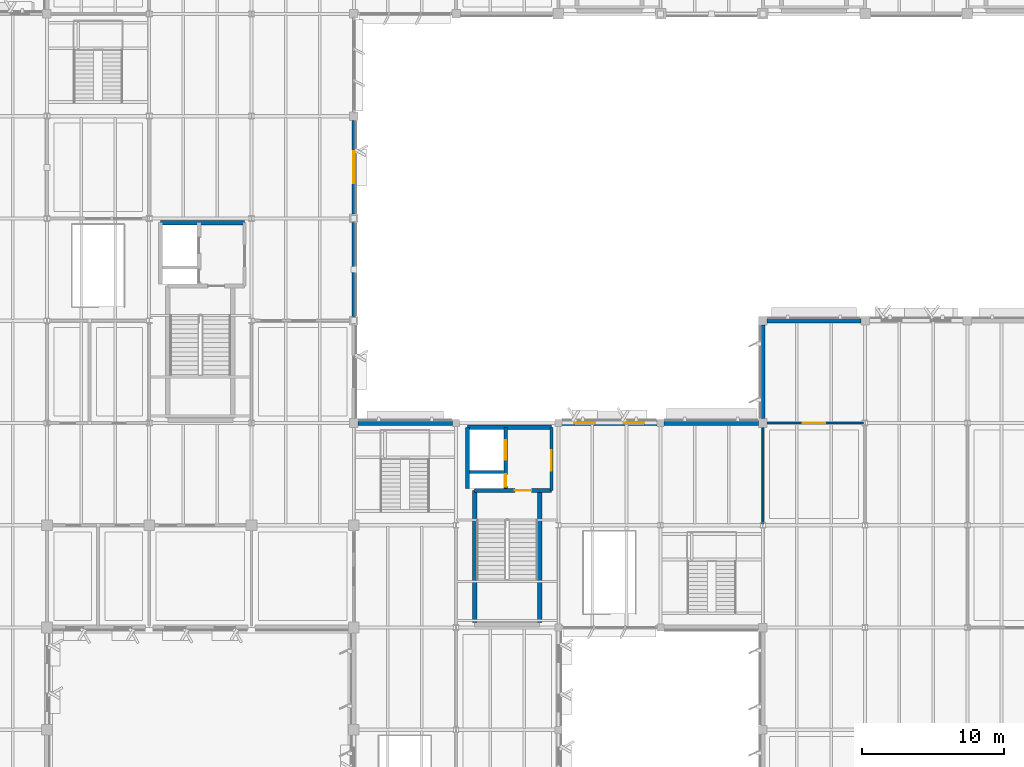
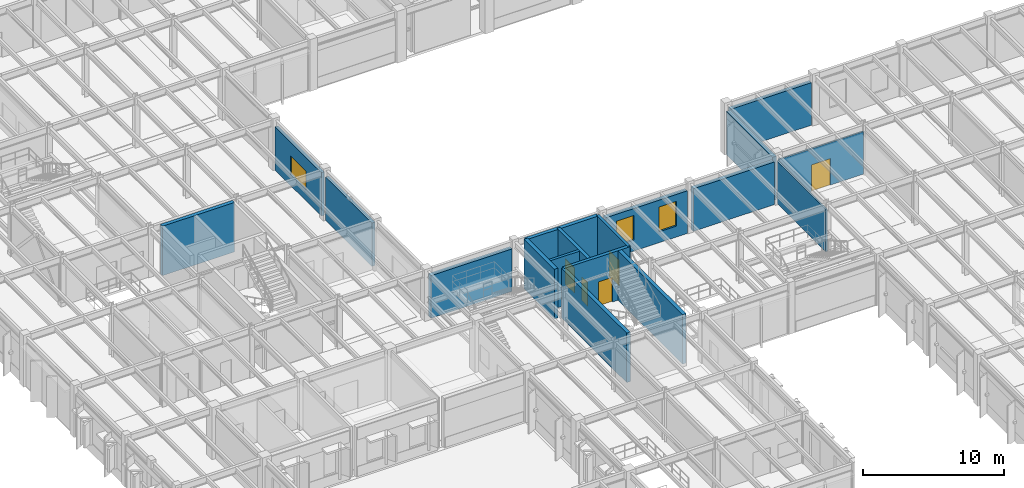
# One storey, part 34 of 92: 18 walls, 5 doors, 3 windows, 8 openings.
"""IFC4 building model written with IfcOpenShell, lengths in metres."""

from ifc_helpers import new_model, si_unit, direction, frame, frame_2d, origin, place, context, subcontext, project, spatial, rectangle, extrude, material, layer, layer_set, type_object, element, fill, save


model = new_model("IFC4")

# Units and contexts
model_context = context("Model", 3, precision=1e-05, world=origin(), true_north=direction((0.0, 1.0)))
body_context = subcontext(model_context, "Body", "Model", "MODEL_VIEW")
ifc_project = project(units=[si_unit("LENGTHUNIT", "METRE"), si_unit("AREAUNIT", "SQUARE_METRE"), si_unit("VOLUMEUNIT", "CUBIC_METRE"), si_unit("PLANEANGLEUNIT", "RADIAN"), si_unit("MASSUNIT", "GRAM", prefix="KILO")], contexts=[model_context])

# Site, building, storey
site_placement = place(None, origin())
site = spatial("IfcSite", under=ifc_project, at=site_placement, CompositionType="ELEMENT")
building_placement = place(site_placement, origin())
building = spatial("IfcBuilding", under=site, at=building_placement, Name="Sillqori Civic Hall", CompositionType="ELEMENT")
storey_placement = place(building_placement, frame((0.0, 0.0, 5.39990234375)))
storey = spatial("IfcBuildingStorey", under=building, at=storey_placement, Name="L02", CompositionType="ELEMENT", Elevation=5.39990234375)

# Wall
ifc_material_1 = material(Name="Concrete C35/45 (H35)", Category="concrete")
ifc_layer_1 = layer(ifc_material_1, 0.219970703125)
ifc_layer_set_1 = layer_set([ifc_layer_1], Name="Concrete C35/45 (H35)")
wall_type_1 = type_object("IfcWallType", Name="CW-SHR-220", PredefinedType="SHEAR", material=ifc_layer_set_1)
wall_1_placement = place(storey_placement, frame((44.14990234375, 46.949951171875, 0.0), z_axis=(0.0, 0.0, 1.0), x_axis=(1.0, 0.0, 0.0)))
element("IfcWall", 1, at=wall_1_placement, inside=storey, type_object=wall_type_1, Name="L02 C1 Lift-riser divider wall", PredefinedType="SHEAR", context=body_context, shape_type="SweptSolid", body=[
    extrude(rectangle(XDim=2.400146484375, YDim=0.219970703125, at=frame_2d((1.2001953125, 0.0))), origin(), (0.0, 0.0, 1.0), 4.300048828125),
])

# Wall, opening, door
wall_2_placement = place(storey_placement, frame((49.919921875, 50.10009765625, 0.0), z_axis=(0.0, 0.0, 1.0), x_axis=(0.0, -1.0, 0.0)))
wall_2 = element("IfcWall", 2, at=wall_2_placement, inside=storey, type_object=wall_type_1, Name="L02 C1 firefighting lobby enclosure wall", PredefinedType="SHEAR", context=body_context, shape_type="SweptSolid", body=[
    extrude(rectangle(XDim=4.4501953125, YDim=0.219970703125, at=frame_2d((2.22509765625, 0.0))), origin(), (0.0, 0.0, 1.0), 4.300048828125),
])
opening_1_placement = place(wall_2_placement, frame((1.625, 0.0, 0.0)))
opening_1 = element("IfcOpeningElement", 3, at=opening_1_placement, cuts=wall_2, Name="Opening FD-03", PredefinedType="OPENING", context=body_context, shape_type="SweptSolid", body=[
    extrude(rectangle(XDim=1.449951171875, YDim=2.199951171875, at=frame_2d((0.72509765625, 1.10009765625))), frame((0.0, 0.119873046875, 0.0), z_axis=(0.0, -1.0, 0.0), x_axis=(1.0, 0.0, 0.0)), (0.0, 0.0, 1.0), 0.239990234375),
])
ifc_material_2 = material(Name="Double-Leaf Smoke-Seal Lobby Door", Category="steel")
door_type_1 = type_object("IfcDoorType", Name="FDR-LOB-145X220", OperationType="NOTDEFINED", PredefinedType="DOOR", material=ifc_material_2)
door_1_placement = place(opening_1_placement, origin())
door_1 = element("IfcDoor", 4, at=door_1_placement, inside=storey, type_object=door_type_1, Name="L02 C1 firefighting lobby exit door", OperationType="DOUBLE_DOOR_SINGLE_SWING", OverallHeight=2.199951171875, OverallWidth=1.449951171875, PredefinedType="DOOR", context=body_context, shape_type="SweptSolid", body=[
    extrude(rectangle(XDim=1.449951171875, YDim=2.199951171875, at=frame_2d((0.72509765625, 1.10009765625))), frame((0.0, 0.02490234375, 0.0), z_axis=(0.0, -1.0, 0.0), x_axis=(1.0, 0.0, 0.0)), (0.0, 0.0, 1.0), 0.050048828125),
])
fill(opening_1, door_1)

ifc_layer_2 = layer(ifc_material_1, 0.260009765625)
ifc_layer_set_2 = layer_set([ifc_layer_2], Name="Concrete C35/45 (H35)")
wall_type_2 = type_object("IfcWallType", Name="CW-SHR-260", PredefinedType="SHEAR", material=ifc_layer_set_2)
wall_3_placement = place(storey_placement, frame((44.510009765625, 45.64990234375, 0.0), z_axis=(0.0, 0.0, 1.0), x_axis=(1.0, 0.0, 0.0)))
wall_3 = element("IfcWall", 5, at=wall_3_placement, inside=storey, type_object=wall_type_2, Name="L02 C1 Stair-lobby fire wall", PredefinedType="SHEAR", context=body_context, shape_type="SweptSolid", body=[
    extrude(rectangle(XDim=5.409912109375, YDim=0.260009765625, at=frame_2d((2.705078125, 0.0))), origin(), (0.0, 0.0, 1.0), 4.300048828125),
])
opening_2_placement = place(wall_3_placement, frame((2.840087890625, 0.0, 0.0)))
opening_2 = element("IfcOpeningElement", 6, at=opening_2_placement, cuts=wall_3, Name="Opening FD-01", PredefinedType="OPENING", context=body_context, shape_type="SweptSolid", body=[
    extrude(rectangle(XDim=1.14990234375, YDim=2.14990234375, at=frame_2d((0.574951171875, 1.074951171875))), frame((0.0, 0.139892578125, 0.0), z_axis=(0.0, -1.0, 0.0), x_axis=(1.0, 0.0, 0.0)), (0.0, 0.0, 1.0), 0.280029296875),
])
ifc_material_3 = material(Name="Galvanized Steel Fire Door FD90S", Category="steel")
door_type_2 = type_object("IfcDoorType", Name="FDR-STR-115X215", OperationType="NOTDEFINED", PredefinedType="DOOR", material=ifc_material_3)
door_2_placement = place(opening_2_placement, origin())
door_2 = element("IfcDoor", 7, at=door_2_placement, inside=storey, type_object=door_type_2, Name="L02 stair ST-01 fire door", OperationType="SINGLE_SWING_RIGHT", OverallHeight=2.14990234375, OverallWidth=1.14990234375, PredefinedType="DOOR", context=body_context, shape_type="SweptSolid", body=[
    extrude(rectangle(XDim=1.14990234375, YDim=2.14990234375, at=frame_2d((0.574951171875, 1.074951171875))), frame((0.0, 0.02490234375, 0.0), z_axis=(0.0, -1.0, 0.0), x_axis=(1.0, 0.0, 0.0)), (0.0, 0.0, 1.0), 0.050048828125),
])
fill(opening_2, door_2)

# Wall, openings, doors
wall_4_placement = place(storey_placement, frame((46.699951171875, 50.10009765625, 0.0), z_axis=(0.0, 0.0, 1.0), x_axis=(0.0, -1.0, 0.0)))
wall_4 = element("IfcWall", 8, at=wall_4_placement, inside=storey, type_object=wall_type_2, Name="L02 C1 Lift landing & riser front wall", PredefinedType="SHEAR", context=body_context, shape_type="SweptSolid", body=[
    extrude(rectangle(XDim=4.320068359375, YDim=0.260009765625, at=frame_2d((2.16015625, 0.0))), origin(), (0.0, 0.0, 1.0), 4.300048828125),
])
opening_3_placement = place(wall_4_placement, frame((0.925048828125, 0.0, 0.0)))
opening_3 = element("IfcOpeningElement", 9, at=opening_3_placement, cuts=wall_4, Name="Opening LD-03", PredefinedType="OPENING", context=body_context, shape_type="SweptSolid", body=[
    extrude(rectangle(XDim=1.35009765625, YDim=2.199951171875, at=frame_2d((0.675048828125, 1.10009765625))), frame((0.0, 0.139892578125, 0.0), z_axis=(0.0, -1.0, 0.0), x_axis=(1.0, 0.0, 0.0)), (0.0, 0.0, 1.0), 0.280029296875),
])
opening_4_placement = place(wall_4_placement, frame((3.324951171875, 0.0, 0.0)))
opening_4 = element("IfcOpeningElement", 10, at=opening_4_placement, cuts=wall_4, Name="Opening FD-05", PredefinedType="OPENING", context=body_context, shape_type="SweptSolid", body=[
    extrude(rectangle(XDim=0.85009765625, YDim=2.050048828125, at=frame_2d((0.425048828125, 1.02490234375))), frame((0.0, 0.139892578125, 0.0), z_axis=(0.0, -1.0, 0.0), x_axis=(1.0, 0.0, 0.0)), (0.0, 0.0, 1.0), 0.280029296875),
])
ifc_material_4 = material(Name="Steel Riser Access Fire Door", Category="steel")
door_type_3 = type_object("IfcDoorType", Name="FDR-RSR-085X205", OperationType="NOTDEFINED", PredefinedType="DOOR", material=ifc_material_4)
door_3_placement = place(opening_4_placement, origin())
door_3 = element("IfcDoor", 11, at=door_3_placement, inside=storey, type_object=door_type_3, Name="L02 MEP riser C1 fire access door", OperationType="SINGLE_SWING_LEFT", OverallHeight=2.050048828125, OverallWidth=0.85009765625, PredefinedType="DOOR", context=body_context, shape_type="SweptSolid", body=[
    extrude(rectangle(XDim=0.85009765625, YDim=2.050048828125, at=frame_2d((0.425048828125, 1.02490234375))), frame((0.0, 0.02490234375, 0.0), z_axis=(0.0, -1.0, 0.0), x_axis=(1.0, 0.0, 0.0)), (0.0, 0.0, 1.0), 0.050048828125),
])
fill(opening_4, door_3)
ifc_material_5 = material(Name="Service Freight Lift Landing Door", Category="steel")
door_type_4 = type_object("IfcDoorType", Name="LDR-SERV-135X220", OperationType="NOTDEFINED", PredefinedType="DOOR", material=ifc_material_5)
door_4_placement = place(opening_3_placement, origin())
door_4 = element("IfcDoor", 12, at=door_4_placement, inside=storey, type_object=door_type_4, Name="L02 lift LF-07 sliding landing door", OperationType="DOUBLE_DOOR_SLIDING", OverallHeight=2.199951171875, OverallWidth=1.35009765625, PredefinedType="DOOR", context=body_context, shape_type="SweptSolid", body=[
    extrude(rectangle(XDim=1.35009765625, YDim=2.199951171875, at=frame_2d((0.675048828125, 1.10009765625))), frame((0.0, 0.02490234375, 0.0), z_axis=(0.0, -1.0, 0.0), x_axis=(1.0, 0.0, 0.0)), (0.0, 0.0, 1.0), 0.050048828125),
])
fill(opening_3, door_4)

# Walls
ifc_layer_3 = layer(ifc_material_1, 0.300048828125)
ifc_layer_set_3 = layer_set([ifc_layer_3], Name="Concrete C35/45 (H35)")
wall_type_3 = type_object("IfcWallType", Name="CW-SHR-300", PredefinedType="SHEAR", material=ifc_layer_set_3)
for number, where, z_axis, x_axis, name in (
    (13, (44.510009765625, 36.35009765625, 0.0), (0.0, 0.0, 1.0), (0.0, 1.0, 0.0), "L02 C1 Stair west shear wall"),
    (14, (49.090087890625, 36.35009765625, 0.0), (0.0, 0.0, 1.0), (0.0, 1.0, 0.0), "L02 C1 Stair east shear wall"),
):
    element("IfcWall", number, at=place(storey_placement, frame(where, z_axis=z_axis, x_axis=x_axis)), inside=storey, type_object=wall_type_3, Name=name, PredefinedType="SHEAR", context=body_context, shape_type="SweptSolid", body=[
        extrude(rectangle(XDim=9.2998046875, YDim=0.300048828125, at=frame_2d((4.64990234375, 0.0))), origin(), (0.0, 0.0, 1.0), 4.300048828125),
    ])
wall_5_placement = place(storey_placement, frame((44.0, 45.780029296875, 0.0), z_axis=(0.0, 0.0, 1.0), x_axis=(0.0, 1.0, 0.0)))
element("IfcWall", 15, at=wall_5_placement, inside=storey, type_object=wall_type_3, Name="L02 C1 Lift shaft west shear wall", PredefinedType="SHEAR", context=body_context, shape_type="SweptSolid", body=[
    extrude(rectangle(XDim=4.320068359375, YDim=0.300048828125, at=frame_2d((2.16015625, 0.0))), origin(), (0.0, 0.0, 1.0), 4.300048828125),
])
wall_6_placement = place(storey_placement, frame((44.0, 50.10009765625, 0.0), z_axis=(0.0, 0.0, 1.0), x_axis=(1.0, 0.0, 0.0)))
element("IfcWall", 16, at=wall_6_placement, inside=storey, type_object=wall_type_3, Name="L02 C1 Core north shear wall", PredefinedType="SHEAR", context=body_context, shape_type="SweptSolid", body=[
    extrude(rectangle(XDim=5.919921875, YDim=0.300048828125, at=frame_2d((2.9599609375, 0.0))), origin(), (0.0, 0.0, 1.0), 4.300048828125),
])
wall_7_placement = place(storey_placement, frame((22.39990234375, 64.5, 0.0), z_axis=(0.0, 0.0, 1.0), x_axis=(1.0, 0.0, 0.0)))
element("IfcWall", 17, at=wall_7_placement, inside=storey, type_object=wall_type_3, Name="L02 C4 Core north shear wall", PredefinedType="SHEAR", context=body_context, shape_type="SweptSolid", body=[
    extrude(rectangle(XDim=5.920166015625, YDim=0.300048828125, at=frame_2d((2.9599609375, 0.0))), origin(), (0.0, 0.0, 1.0), 4.300048828125),
])
ifc_material_6 = material(Name="Precast concrete C40/50 (H40)", Category="concrete")
ifc_layer_4 = layer(ifc_material_6, 0.340087890625)
ifc_layer_set_4 = layer_set([ifc_layer_4], Name="Precast concrete C40/50 (H40)")
wall_type_4 = type_object("IfcWallType", Name="EW-ARC-340", PredefinedType="SOLIDWALL", material=ifc_layer_set_4)
wall_8_placement = place(storey_placement, frame((36.300048828125, 50.39990234375, 0.0), z_axis=(0.0, 0.0, 1.0), x_axis=(1.0, 0.0, 0.0)))
element("IfcWall", 18, at=wall_8_placement, inside=storey, type_object=wall_type_4, Name="L02 V1 exterior wall L02-05-06-N", PredefinedType="SOLIDWALL", context=body_context, shape_type="SweptSolid", body=[
    extrude(rectangle(XDim=6.64990234375, YDim=0.340087890625, at=frame_2d((3.324951171875, 0.0))), origin(), (0.0, 0.0, 1.0), 3.697998046875),
])

# Wall, openings, windows
wall_9_placement = place(storey_placement, frame((50.64990234375, 50.39990234375, 0.0), z_axis=(0.0, 0.0, 1.0), x_axis=(1.0, 0.0, 0.0)))
wall_9 = element("IfcWall", 19, at=wall_9_placement, inside=storey, type_object=wall_type_4, Name="L02 V1 exterior wall L02-07-06-N", PredefinedType="SOLIDWALL", context=body_context, shape_type="SweptSolid", body=[
    extrude(rectangle(XDim=6.7001953125, YDim=0.340087890625, at=frame_2d((3.35009765625, 0.0))), origin(), (0.0, 0.0, 1.0), 3.697998046875),
])
opening_5_placement = place(wall_9_placement, frame((0.883056640625, 0.0, 0.949951171875)))
opening_5 = element("IfcOpeningElement", 20, at=opening_5_placement, cuts=wall_9, Name="Opening W-30", PredefinedType="OPENING", context=body_context, shape_type="SweptSolid", body=[
    extrude(rectangle(XDim=1.449951171875, YDim=2.14990234375, at=frame_2d((0.72509765625, 1.074951171875))), frame((0.0, 0.179931640625, 0.0), z_axis=(0.0, -1.0, 0.0), x_axis=(1.0, 0.0, 0.0)), (0.0, 0.0, 1.0), 0.360107421875),
])
opening_6_placement = place(wall_9_placement, frame((4.366943359375, 0.0, 0.949951171875)))
opening_6 = element("IfcOpeningElement", 21, at=opening_6_placement, cuts=wall_9, Name="Opening W-30", PredefinedType="OPENING", context=body_context, shape_type="SweptSolid", body=[
    extrude(rectangle(XDim=1.449951171875, YDim=2.14990234375, at=frame_2d((0.72509765625, 1.074951171875))), frame((0.0, 0.179931640625, 0.0), z_axis=(0.0, -1.0, 0.0), x_axis=(1.0, 0.0, 0.0)), (0.0, 0.0, 1.0), 0.360107421875),
])
ifc_material_7 = material(Name="Thermally Broken Aluminium Low-E Window", Category="aluminium")
window_type_1 = type_object("IfcWindowType", Name="WIN-GD-145X215", PartitioningType="SINGLE_PANEL", PredefinedType="WINDOW", material=ifc_material_7)
window_1_placement = place(opening_5_placement, origin())
window_1 = element("IfcWindow", 22, at=window_1_placement, inside=storey, type_object=window_type_1, Name="L02 V1 window L02-07-06-N.1", OverallHeight=2.14990234375, OverallWidth=1.449951171875, PartitioningType="SINGLE_PANEL", PredefinedType="WINDOW", context=body_context, shape_type="SweptSolid", body=[
    extrude(rectangle(XDim=1.449951171875, YDim=2.14990234375, at=frame_2d((0.72509765625, 1.074951171875))), frame((0.0, 0.030029296875, 0.0), z_axis=(0.0, -1.0, 0.0), x_axis=(1.0, 0.0, 0.0)), (0.0, 0.0, 1.0), 0.06005859375),
])
fill(opening_5, window_1)
window_2_placement = place(opening_6_placement, origin())
window_2 = element("IfcWindow", 23, at=window_2_placement, inside=storey, type_object=window_type_1, Name="L02 V1 window L02-07-06-N.2", OverallHeight=2.14990234375, OverallWidth=1.449951171875, PartitioningType="SINGLE_PANEL", PredefinedType="WINDOW", context=body_context, shape_type="SweptSolid", body=[
    extrude(rectangle(XDim=1.449951171875, YDim=2.14990234375, at=frame_2d((0.72509765625, 1.074951171875))), frame((0.0, 0.030029296875, 0.0), z_axis=(0.0, -1.0, 0.0), x_axis=(1.0, 0.0, 0.0)), (0.0, 0.0, 1.0), 0.06005859375),
])
fill(opening_6, window_2)

# Walls
wall_10_placement = place(storey_placement, frame((57.85009765625, 50.39990234375, 0.0), z_axis=(0.0, 0.0, 1.0), x_axis=(1.0, 0.0, 0.0)))
element("IfcWall", 24, at=wall_10_placement, inside=storey, type_object=wall_type_4, Name="L02 V1 exterior wall L02-08-06-N", PredefinedType="SOLIDWALL", context=body_context, shape_type="SweptSolid", body=[
    extrude(rectangle(XDim=6.64990234375, YDim=0.340087890625, at=frame_2d((3.324951171875, 0.0))), origin(), (0.0, 0.0, 1.0), 3.697998046875),
])
ifc_layer_5 = layer(ifc_material_6, 0.320068359375)
ifc_layer_set_5 = layer_set([ifc_layer_5], Name="Precast concrete C40/50 (H40)")
wall_type_5 = type_object("IfcWallType", Name="EW-LIME-320", PredefinedType="SOLIDWALL", material=ifc_layer_set_5)
wall_11_placement = place(storey_placement, frame((65.10009765625, 57.60009765625, 0.0), z_axis=(0.0, 0.0, 1.0), x_axis=(1.0, 0.0, 0.0)))
element("IfcWall", 25, at=wall_11_placement, inside=storey, type_object=wall_type_5, Name="L02 V2 exterior wall L02-09-07-N", PredefinedType="SOLIDWALL", context=body_context, shape_type="SweptSolid", body=[
    extrude(rectangle(XDim=6.599853515625, YDim=0.320068359375, at=frame_2d((3.2998046875, 0.0))), origin(), (0.0, 0.0, 1.0), 3.697998046875),
])
wall_12_placement = place(storey_placement, frame((64.800048828125, 50.699951171875, 0.0), z_axis=(0.0, 0.0, 1.0), x_axis=(0.0, 1.0, 0.0)))
element("IfcWall", 26, at=wall_12_placement, inside=storey, type_object=wall_type_5, Name="L02 V2 exterior wall L02-09-07-W", PredefinedType="SOLIDWALL", context=body_context, shape_type="SweptSolid", body=[
    extrude(rectangle(XDim=6.60009765625, YDim=0.320068359375, at=frame_2d((3.300048828125, 0.0))), origin(), (0.0, 0.0, 1.0), 3.76708984375),
])
ifc_material_8 = material(Name="Concrete C30/37 (H30)", Category="concrete")
ifc_layer_6 = layer(ifc_material_8, 0.260009765625)
ifc_layer_set_6 = layer_set([ifc_layer_6], Name="Concrete C30/37 (H30)")
wall_type_6 = type_object("IfcWallType", Name="EW-MAS-260", PredefinedType="SOLIDWALL", material=ifc_layer_set_6)
wall_13_placement = place(storey_placement, frame((36.0, 64.5, 0.0), z_axis=(0.0, 0.0, 1.0), x_axis=(0.0, -1.0, 0.0)))
element("IfcWall", 27, at=wall_13_placement, inside=storey, type_object=wall_type_6, Name="L02 V5 exterior wall L02-04-08-E", PredefinedType="SOLIDWALL", context=body_context, shape_type="SweptSolid", body=[
    extrude(rectangle(XDim=6.60009765625, YDim=0.260009765625, at=frame_2d((3.300048828125, 0.0))), origin(), (0.0, 0.0, 1.0), 3.76708984375),
])

# Wall, opening, window
wall_14_placement = place(storey_placement, frame((36.0, 71.699951171875, 0.0), z_axis=(0.0, 0.0, 1.0), x_axis=(0.0, -1.0, 0.0)))
wall_14 = element("IfcWall", 28, at=wall_14_placement, inside=storey, type_object=wall_type_6, Name="L02 V5 exterior wall L02-04-09-E", PredefinedType="SOLIDWALL", context=body_context, shape_type="SweptSolid", body=[
    extrude(rectangle(XDim=6.599853515625, YDim=0.260009765625, at=frame_2d((3.2998046875, 0.0))), origin(), (0.0, 0.0, 1.0), 3.76708984375),
])
opening_7_placement = place(wall_14_placement, frame((2.175048828125, 0.0, 0.949951171875)))
opening_7 = element("IfcOpeningElement", 29, at=opening_7_placement, cuts=wall_14, Name="Opening W-51", PredefinedType="OPENING", context=body_context, shape_type="SweptSolid", body=[
    extrude(rectangle(XDim=2.25, YDim=1.64990234375, at=frame_2d((1.125, 0.824951171875))), frame((0.0, 0.139892578125, 0.0), z_axis=(0.0, -1.0, 0.0), x_axis=(1.0, 0.0, 0.0)), (0.0, 0.0, 1.0), 0.280029296875),
])
window_type_2 = type_object("IfcWindowType", Name="WIN-GD-225X165", PartitioningType="SINGLE_PANEL", PredefinedType="WINDOW", material=ifc_material_7)
window_3_placement = place(opening_7_placement, origin())
window_3 = element("IfcWindow", 30, at=window_3_placement, inside=storey, type_object=window_type_2, Name="L02 V5 window L02-04-09-E.1", OverallHeight=1.64990234375, OverallWidth=2.25, PartitioningType="SINGLE_PANEL", PredefinedType="WINDOW", context=body_context, shape_type="SweptSolid", body=[
    extrude(rectangle(XDim=2.25, YDim=1.64990234375, at=frame_2d((1.125, 0.824951171875))), frame((0.0, 0.030029296875, 0.0), z_axis=(0.0, -1.0, 0.0), x_axis=(1.0, 0.0, 0.0)), (0.0, 0.0, 1.0), 0.06005859375),
])
fill(opening_7, window_3)

# Wall, opening, door
ifc_material_9 = material(Name="Andean Cedar Slatted Acoustic Wall 132", Category="timber")
ifc_layer_7 = layer(ifc_material_9, 0.132080078125)
ifc_layer_set_7 = layer_set([ifc_layer_7], Name="Andean Cedar Slatted Acoustic Wall 132")
wall_type_7 = type_object("IfcWallType", Name="PT-TIM-132", PredefinedType="PARTITIONING", material=ifc_layer_set_7)
wall_15_placement = place(storey_placement, frame((64.919921875, 50.39990234375, 0.0), z_axis=(0.0, 0.0, 1.0), x_axis=(1.0, 0.0, 0.0)))
wall_15 = element("IfcWall", 31, at=wall_15_placement, inside=storey, type_object=wall_type_7, Name="Community Mediation and Legal Aid Room partition N2", PredefinedType="PARTITIONING", context=body_context, shape_type="SweptSolid", body=[
    extrude(rectangle(XDim=6.9599609375, YDim=0.132080078125, at=frame_2d((3.47998046875, 0.0))), origin(), (0.0, 0.0, 1.0), 3.68798828125),
])
opening_8_placement = place(wall_15_placement, frame((2.705078125, 0.0, 0.0)))
opening_8 = element("IfcOpeningElement", 32, at=opening_8_placement, cuts=wall_15, Name="Opening ID-08", PredefinedType="OPENING", context=body_context, shape_type="SweptSolid", body=[
    extrude(rectangle(XDim=1.550048828125, YDim=2.300048828125, at=frame_2d((0.77490234375, 1.14990234375))), frame((0.0, 0.075927734375, 0.0), z_axis=(0.0, -1.0, 0.0), x_axis=(1.0, 0.0, 0.0)), (0.0, 0.0, 1.0), 0.152099609375),
])
ifc_material_10 = material(Name="Community Room Double Leaf Door", Category="timber")
door_type_5 = type_object("IfcDoorType", Name="IDR-CMY-155X230", OperationType="NOTDEFINED", PredefinedType="DOOR", material=ifc_material_10)
door_5_placement = place(opening_8_placement, origin())
door_5 = element("IfcDoor", 33, at=door_5_placement, inside=storey, type_object=door_type_5, Name="Community Mediation and Legal Aid Room entrance door", OperationType="DOUBLE_DOOR_SINGLE_SWING", OverallHeight=2.300048828125, OverallWidth=1.550048828125, PredefinedType="DOOR", context=body_context, shape_type="SweptSolid", body=[
    extrude(rectangle(XDim=1.550048828125, YDim=2.300048828125, at=frame_2d((0.77490234375, 1.14990234375))), frame((0.0, 0.02490234375, 0.0), z_axis=(0.0, -1.0, 0.0), x_axis=(1.0, 0.0, 0.0)), (0.0, 0.0, 1.0), 0.050048828125),
])
fill(opening_8, door_5)

# Wall
wall_16_placement = place(storey_placement, frame((64.800048828125, 43.320068359375, 0.0), z_axis=(0.0, 0.0, 1.0), x_axis=(0.0, 1.0, 0.0)))
element("IfcWall", 34, at=wall_16_placement, inside=storey, type_object=wall_type_7, Name="Community Mediation and Legal Aid Room partition W3", PredefinedType="PARTITIONING", context=body_context, shape_type="SweptSolid", body=[
    extrude(rectangle(XDim=6.9599609375, YDim=0.132080078125, at=frame_2d((3.47998046875, 0.0))), origin(), (0.0, 0.0, 1.0), 3.68798828125),
])

save(model, "model.ifc")
